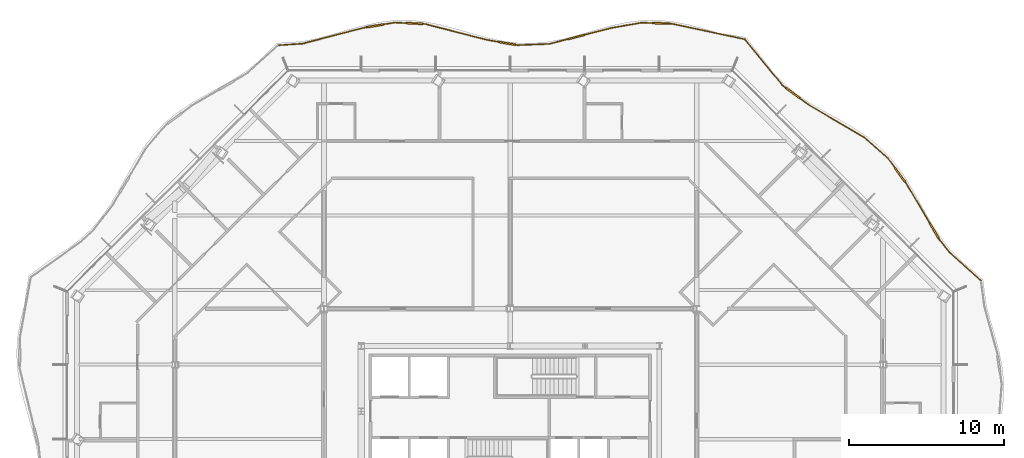
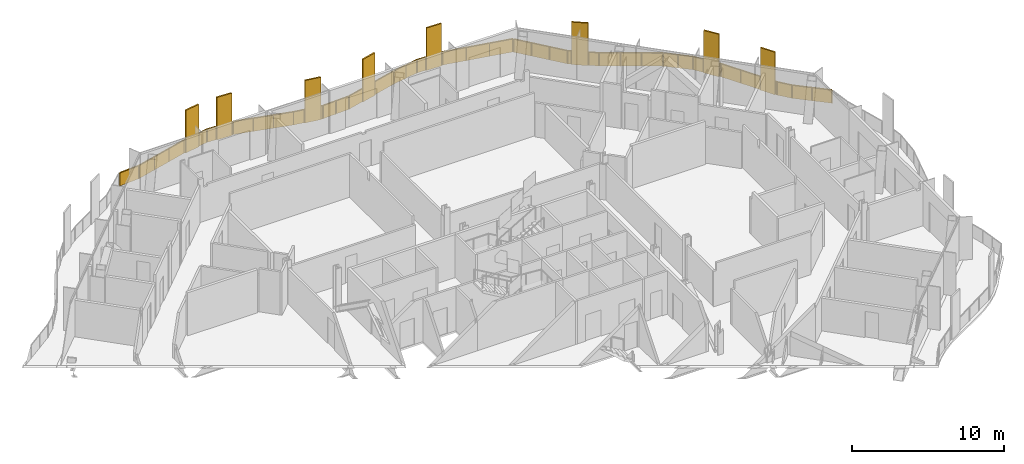
# One storey, part 21 of 21: 2 railings.
"""IFC4 building model written with IfcOpenShell, lengths in metres."""

from ifc_helpers import new_model, si_unit, direction, frame, origin, origin_2d, place, context, subcontext, project, spatial, polyline, rectangle, outline, extrude, material, type_object, element, save


model = new_model("IFC4")

# Units and contexts
model_context = context("Model", 3, precision=1e-05, world=origin(), true_north=direction((0.0, 1.0)))
body_context = subcontext(model_context, "Body", "Model", "MODEL_VIEW")
ifc_project = project(units=[si_unit("LENGTHUNIT", "METRE"), si_unit("AREAUNIT", "SQUARE_METRE"), si_unit("VOLUMEUNIT", "CUBIC_METRE"), si_unit("PLANEANGLEUNIT", "RADIAN"), si_unit("MASSUNIT", "GRAM", prefix="KILO")], contexts=[model_context])

# Site, building, storey
site_placement = place(None, origin())
site = spatial("IfcSite", under=ifc_project, at=site_placement, CompositionType="ELEMENT")
building_placement = place(site_placement, origin())
building = spatial("IfcBuilding", under=site, at=building_placement, Name="Cairn Pilgrim Tower", CompositionType="ELEMENT")
storey_placement = place(building_placement, frame((0.0, 0.0, 172.199951171875)))
storey = spatial("IfcBuildingStorey", under=building, at=storey_placement, Name="L43", CompositionType="ELEMENT", Elevation=172.199951171875)

# Railings
ifc_material = material(Name="Bronze anodised aluminium rail, posts and fin screens with laminated glass infill", Category="aluminium")
railing_type = type_object("IfcRailingType", Name="BALCONY GUARD WITH FIN SCREENS", PredefinedType="GUARDRAIL", material=ifc_material)
railing_1_placement = place(storey_placement, frame((37.5078125, 15.009033203125, 0.0)))
element("IfcRailing", 1, at=railing_1_placement, inside=storey, type_object=railing_type, Name="Balcony guard BGF-4 with fin screens", PredefinedType="GUARDRAIL", context=body_context, shape_type="SweptSolid", body=[
    extrude(rectangle(XDim=0.050048828125, YDim=0.050048828125, at=origin_2d()), frame((0.0, 0.0, 1.0751953125), z_axis=(-0.742573278127, 0.669764829333, 0.0), x_axis=(-0.669764829333, -0.742573278127, 0.0)), (0.0, 0.0, 1.0), 2.67919921875),
    extrude(rectangle(XDim=0.050048828125, YDim=0.050048828125, at=origin_2d()), frame((-1.989501953125, 1.79443359375, 1.0751953125), z_axis=(-0.631470426206, 0.775399961843, 0.0), x_axis=(-0.775399961843, -0.631470426206, 0.0)), (0.0, 0.0, 1.0), 1.046630859375),
    extrude(rectangle(XDim=1.10009765625, YDim=0.110107421875, at=origin_2d()), frame((-3.005859375, 3.208984375, 0.0), z_axis=(0.0, 0.0, 1.0), x_axis=(-0.507932070503, 0.861397127784, 0.0)), (0.0, 0.0, 1.0), 3.39990234375),
    extrude(rectangle(XDim=0.050048828125, YDim=0.050048828125, at=origin_2d()), frame((-2.650390625, 2.60595703125, 1.0751953125), z_axis=(-0.507932070503, 0.861397127784, 0.0), x_axis=(-0.861397127784, -0.507932070503, 0.0)), (0.0, 0.0, 1.0), 0.14990234375),
    extrude(rectangle(XDim=0.050048828125, YDim=0.050048828125, at=origin_2d()), frame((-3.285400390625, 3.6826171875, 1.0751953125), z_axis=(-0.507932070503, 0.861397127784, 0.0), x_axis=(-0.861397127784, -0.507932070503, 0.0)), (0.0, 0.0, 1.0), 2.96044921875),
    extrude(rectangle(XDim=1.10009765625, YDim=0.110107421875, at=origin_2d()), frame((-5.20068359375, 6.79931640625, 0.0), z_axis=(0.0, 0.0, 1.0), x_axis=(-0.587858294843, 0.808963920817, 0.0)), (0.0, 0.0, 1.0), 3.39990234375),
    extrude(rectangle(XDim=0.050048828125, YDim=0.050048828125, at=origin_2d()), frame((-4.7890625, 6.23291015625, 1.0751953125), z_axis=(-0.587858294843, 0.808963920817, 0.0), x_axis=(-0.808963920817, -0.587858294843, 0.0)), (0.0, 0.0, 1.0), 0.150146484375),
    extrude(rectangle(XDim=0.050048828125, YDim=0.050048828125, at=origin_2d()), frame((-5.52392578125, 7.244140625, 1.0751953125), z_axis=(-0.587858294843, 0.808963920817, 0.0), x_axis=(-0.808963920817, -0.587858294843, 0.0)), (0.0, 0.0, 1.0), 0.788330078125),
    extrude(rectangle(XDim=0.050048828125, YDim=0.050048828125, at=origin_2d()), frame((-5.9873046875, 7.8818359375, 1.0751953125), z_axis=(-0.748929293895, 0.662649917185, 0.0), x_axis=(-0.662649917185, -0.748929293895, 0.0)), (0.0, 0.0, 1.0), 2.009033203125),
    extrude(rectangle(XDim=0.050048828125, YDim=0.050048828125, at=origin_2d()), frame((-7.491943359375, 9.213134765625, 1.0751953125), z_axis=(-0.862706708707, 0.505704592378, 0.0), x_axis=(-0.505704592378, -0.862706708707, 0.0)), (0.0, 0.0, 1.0), 4.203125),
    extrude(rectangle(XDim=1.10009765625, YDim=0.110107421875, at=origin_2d()), frame((-12.1171875, 12.0859375, 0.0), z_axis=(0.0, 0.0, 1.0), x_axis=(-0.800870533458, 0.598837531087, 0.0)), (0.0, 0.0, 1.0), 3.39990234375),
    extrude(rectangle(XDim=0.050048828125, YDim=0.050048828125, at=origin_2d()), frame((-11.117919921875, 11.338623046875, 1.0751953125), z_axis=(-0.800870533458, 0.598837531087, 0.0), x_axis=(-0.598837531087, -0.800870533458, 0.0)), (0.0, 0.0, 1.0), 0.69775390625),
    extrude(rectangle(XDim=0.050048828125, YDim=0.050048828125, at=origin_2d()), frame((-12.5576171875, 12.415283203125, 1.0751953125), z_axis=(-0.800870533458, 0.598837531087, 0.0), x_axis=(-0.598837531087, -0.800870533458, 0.0)), (0.0, 0.0, 1.0), 0.286865234375),
    extrude(rectangle(XDim=0.050048828125, YDim=0.050048828125, at=origin_2d()), frame((-12.787353515625, 12.5869140625, 1.0751953125), z_axis=(-0.6329833694, 0.774165391931, 0.0), x_axis=(-0.774165391931, -0.6329833694, 0.0)), (0.0, 0.0, 1.0), 3.762939453125),
    extrude(rectangle(XDim=0.050048828125, YDim=0.050048828125, at=origin_2d()), origin(), (0.0, 0.0, 1.0), 1.050048828125),
    extrude(rectangle(XDim=0.050048828125, YDim=0.050048828125, at=origin_2d()), frame((-0.99462890625, 0.897216796875, 0.0)), (0.0, 0.0, 1.0), 1.050048828125),
    extrude(rectangle(XDim=0.050048828125, YDim=0.050048828125, at=origin_2d()), frame((-1.989501953125, 1.79443359375, 0.0)), (0.0, 0.0, 1.0), 1.050048828125),
    extrude(rectangle(XDim=0.050048828125, YDim=0.050048828125, at=origin_2d()), frame((-2.650390625, 2.60595703125, 0.0)), (0.0, 0.0, 1.0), 1.050048828125),
    extrude(rectangle(XDim=0.050048828125, YDim=0.050048828125, at=origin_2d()), frame((-2.7138671875, 2.713623046875, 0.0)), (0.0, 0.0, 1.0), 1.050048828125),
    extrude(rectangle(XDim=0.050048828125, YDim=0.050048828125, at=origin_2d()), frame((-3.298095703125, 3.704345703125, 0.0)), (0.0, 0.0, 1.0), 1.050048828125),
    extrude(rectangle(XDim=0.050048828125, YDim=0.050048828125, at=origin_2d()), frame((-4.04345703125, 4.968505859375, 0.0)), (0.0, 0.0, 1.0), 1.050048828125),
    extrude(rectangle(XDim=0.050048828125, YDim=0.050048828125, at=origin_2d()), frame((-4.7890625, 6.23291015625, 0.0)), (0.0, 0.0, 1.0), 1.050048828125),
    extrude(rectangle(XDim=0.050048828125, YDim=0.050048828125, at=origin_2d()), frame((-4.862548828125, 6.333984375, 0.0)), (0.0, 0.0, 1.0), 1.050048828125),
    extrude(rectangle(XDim=0.050048828125, YDim=0.050048828125, at=origin_2d()), frame((-5.53857421875, 7.264404296875, 0.0)), (0.0, 0.0, 1.0), 1.050048828125),
    extrude(rectangle(XDim=0.050048828125, YDim=0.050048828125, at=origin_2d()), frame((-5.9873046875, 7.8818359375, 0.0)), (0.0, 0.0, 1.0), 1.050048828125),
    extrude(rectangle(XDim=0.050048828125, YDim=0.050048828125, at=origin_2d()), frame((-6.73974609375, 8.54736328125, 0.0)), (0.0, 0.0, 1.0), 1.050048828125),
    extrude(rectangle(XDim=0.050048828125, YDim=0.050048828125, at=origin_2d()), frame((-7.491943359375, 9.213134765625, 0.0)), (0.0, 0.0, 1.0), 1.050048828125),
    extrude(rectangle(XDim=0.050048828125, YDim=0.050048828125, at=origin_2d()), frame((-8.70068359375, 9.921630859375, 0.0)), (0.0, 0.0, 1.0), 1.050048828125),
    extrude(rectangle(XDim=0.050048828125, YDim=0.050048828125, at=origin_2d()), frame((-9.9091796875, 10.630126953125, 0.0)), (0.0, 0.0, 1.0), 1.050048828125),
    extrude(rectangle(XDim=0.050048828125, YDim=0.050048828125, at=origin_2d()), frame((-11.117919921875, 11.338623046875, 0.0)), (0.0, 0.0, 1.0), 1.050048828125),
    extrude(rectangle(XDim=0.050048828125, YDim=0.050048828125, at=origin_2d()), frame((-11.65673828125, 11.741455078125, 0.0)), (0.0, 0.0, 1.0), 1.050048828125),
    extrude(rectangle(XDim=0.050048828125, YDim=0.050048828125, at=origin_2d()), frame((-12.57763671875, 12.43017578125, 0.0)), (0.0, 0.0, 1.0), 1.050048828125),
    extrude(rectangle(XDim=0.050048828125, YDim=0.050048828125, at=origin_2d()), frame((-12.787353515625, 12.5869140625, 0.0)), (0.0, 0.0, 1.0), 1.050048828125),
    extrude(rectangle(XDim=0.050048828125, YDim=0.050048828125, at=origin_2d()), frame((-13.581298828125, 13.557861328125, 0.0)), (0.0, 0.0, 1.0), 1.050048828125),
    extrude(rectangle(XDim=0.050048828125, YDim=0.050048828125, at=origin_2d()), frame((-14.375244140625, 14.529052734375, 0.0)), (0.0, 0.0, 1.0), 1.050048828125),
    extrude(rectangle(XDim=0.050048828125, YDim=0.050048828125, at=origin_2d()), frame((-15.169189453125, 15.5, 0.0)), (0.0, 0.0, 1.0), 1.050048828125),
    extrude(outline(polyline([(0.02490234375, 0.0), (1.314697265625, 0.0), (1.314697265625, 1.050048828125), (0.02490234375, 1.050048828125), (0.02490234375, 0.0)])), frame((-0.00390625, -0.00439453125, 0.0), z_axis=(0.669764829333, 0.742573278127, 0.0), x_axis=(-0.742573278127, 0.669764829333, 0.0)), (0.0, 0.0, 1.0), 0.011962890625),
    extrude(outline(polyline([(0.02490234375, 0.0), (1.314697265625, 0.0), (1.314697265625, 1.050048828125), (0.02490234375, 1.050048828125), (0.02490234375, 0.0)])), frame((-0.998779296875, 0.892822265625, 0.0), z_axis=(0.669764829333, 0.742573278127, 0.0), x_axis=(-0.742573278127, 0.669764829333, 0.0)), (0.0, 0.0, 1.0), 0.011962890625),
    extrude(outline(polyline([(0.02490234375, 0.0), (1.021484375, 0.0), (1.021484375, 1.050048828125), (0.02490234375, 1.050048828125), (0.02490234375, 0.0)])), frame((-1.994140625, 1.790771484375, 0.0), z_axis=(0.775399961843, 0.631470426206, 0.0), x_axis=(-0.631470426206, 0.775399961843, 0.0)), (0.0, 0.0, 1.0), 0.011962890625),
    extrude(outline(polyline([(0.02490234375, 0.0), (0.099853515625, 0.0), (0.099853515625, 1.050048828125), (0.02490234375, 1.050048828125), (0.02490234375, 0.0)])), frame((-2.655517578125, 2.60302734375, 0.0), z_axis=(0.861397127784, 0.507932070503, 0.0), x_axis=(-0.507932070503, 0.861397127784, 0.0)), (0.0, 0.0, 1.0), 0.011962890625),
    extrude(outline(polyline([(0.02490234375, 0.0), (1.442626953125, 0.0), (1.442626953125, 1.050048828125), (0.02490234375, 1.050048828125), (0.02490234375, 0.0)])), frame((-3.30322265625, 3.701171875, 0.0), z_axis=(0.861397127784, 0.507932070503, 0.0), x_axis=(-0.507932070503, 0.861397127784, 0.0)), (0.0, 0.0, 1.0), 0.011962890625),
    extrude(outline(polyline([(0.02490234375, 0.0), (1.442626953125, 0.0), (1.442626953125, 1.050048828125), (0.02490234375, 1.050048828125), (0.02490234375, 0.0)])), frame((-4.048583984375, 4.965576171875, 0.0), z_axis=(0.861397127784, 0.507932070503, 0.0), x_axis=(-0.507932070503, 0.861397127784, 0.0)), (0.0, 0.0, 1.0), 0.011962890625),
    extrude(outline(polyline([(0.02490234375, 0.0), (0.10009765625, 0.0), (0.10009765625, 1.050048828125), (0.02490234375, 1.050048828125), (0.02490234375, 0.0)])), frame((-4.7939453125, 6.2294921875, 0.0), z_axis=(0.808963920817, 0.587858294843, 0.0), x_axis=(-0.587858294843, 0.808963920817, 0.0)), (0.0, 0.0, 1.0), 0.011962890625),
    extrude(outline(polyline([(0.02490234375, 0.0), (0.73828125, 0.0), (0.73828125, 1.050048828125), (0.02490234375, 1.050048828125), (0.02490234375, 0.0)])), frame((-5.54345703125, 7.260986328125, 0.0), z_axis=(0.808963920817, 0.587858294843, 0.0), x_axis=(-0.587858294843, 0.808963920817, 0.0)), (0.0, 0.0, 1.0), 0.011962890625),
    extrude(outline(polyline([(0.02490234375, 0.0), (0.9794921875, 0.0), (0.9794921875, 1.050048828125), (0.02490234375, 1.050048828125), (0.02490234375, 0.0)])), frame((-5.9912109375, 7.87744140625, 0.0), z_axis=(0.662649917185, 0.748929293895, 0.0), x_axis=(-0.748929293895, 0.662649917185, 0.0)), (0.0, 0.0, 1.0), 0.011962890625),
    extrude(outline(polyline([(0.02490234375, 0.0), (0.9794921875, 0.0), (0.9794921875, 1.050048828125), (0.02490234375, 1.050048828125), (0.02490234375, 0.0)])), frame((-6.74365234375, 8.54296875, 0.0), z_axis=(0.662649917185, 0.748929293895, 0.0), x_axis=(-0.748929293895, 0.662649917185, 0.0)), (0.0, 0.0, 1.0), 0.011962890625),
    extrude(outline(polyline([(0.02490234375, 0.0), (1.3759765625, 0.0), (1.3759765625, 1.050048828125), (0.02490234375, 1.050048828125), (0.02490234375, 0.0)])), frame((-7.494873046875, 9.2080078125, 0.0), z_axis=(0.505704592378, 0.862706708707, 0.0), x_axis=(-0.862706708707, 0.505704592378, 0.0)), (0.0, 0.0, 1.0), 0.011962890625),
    extrude(outline(polyline([(0.02490234375, 0.0), (1.3759765625, 0.0), (1.3759765625, 1.050048828125), (0.02490234375, 1.050048828125), (0.02490234375, 0.0)])), frame((-8.70361328125, 9.91650390625, 0.0), z_axis=(0.505704592378, 0.862706708707, 0.0), x_axis=(-0.862706708707, 0.505704592378, 0.0)), (0.0, 0.0, 1.0), 0.011962890625),
    extrude(outline(polyline([(0.02490234375, 0.0), (1.3759765625, 0.0), (1.3759765625, 1.050048828125), (0.02490234375, 1.050048828125), (0.02490234375, 0.0)])), frame((-9.912353515625, 10.625, 0.0), z_axis=(0.505704592378, 0.862706708707, 0.0), x_axis=(-0.862706708707, 0.505704592378, 0.0)), (0.0, 0.0, 1.0), 0.011962890625),
    extrude(outline(polyline([(0.02490234375, 0.0), (0.647705078125, 0.0), (0.647705078125, 1.050048828125), (0.02490234375, 1.050048828125), (0.02490234375, 0.0)])), frame((-11.12158203125, 11.333740234375, 0.0), z_axis=(0.598837531087, 0.800870533458, 0.0), x_axis=(-0.800870533458, 0.598837531087, 0.0)), (0.0, 0.0, 1.0), 0.011962890625),
    extrude(outline(polyline([(0.02490234375, 0.0), (0.23681640625, 0.0), (0.23681640625, 1.050048828125), (0.02490234375, 1.050048828125), (0.02490234375, 0.0)])), frame((-12.581298828125, 12.42529296875, 0.0), z_axis=(0.598837531087, 0.800870533458, 0.0), x_axis=(-0.800870533458, 0.598837531087, 0.0)), (0.0, 0.0, 1.0), 0.011962890625),
    extrude(outline(polyline([(0.02490234375, 0.0), (1.229248046875, 0.0), (1.229248046875, 1.050048828125), (0.02490234375, 1.050048828125), (0.02490234375, 0.0)])), frame((-12.7919921875, 12.5830078125, 0.0), z_axis=(0.774165391931, 0.6329833694, 0.0), x_axis=(-0.6329833694, 0.774165391931, 0.0)), (0.0, 0.0, 1.0), 0.011962890625),
    extrude(outline(polyline([(0.02490234375, 0.0), (1.229248046875, 0.0), (1.229248046875, 1.050048828125), (0.02490234375, 1.050048828125), (0.02490234375, 0.0)])), frame((-13.5859375, 13.55419921875, 0.0), z_axis=(0.774165391931, 0.6329833694, 0.0), x_axis=(-0.6329833694, 0.774165391931, 0.0)), (0.0, 0.0, 1.0), 0.011962890625),
    extrude(outline(polyline([(0.02490234375, 0.0), (1.229248046875, 0.0), (1.229248046875, 1.050048828125), (0.02490234375, 1.050048828125), (0.02490234375, 0.0)])), frame((-14.3798828125, 14.525146484375, 0.0), z_axis=(0.774165391931, 0.6329833694, 0.0), x_axis=(-0.6329833694, 0.774165391931, 0.0)), (0.0, 0.0, 1.0), 0.011962890625),
])
railing_2_placement = place(storey_placement, frame((22.300537109375, 30.555419921875, 0.0)))
element("IfcRailing", 2, at=railing_2_placement, inside=storey, type_object=railing_type, Name="Balcony guard BGF-5 with fin screens", PredefinedType="GUARDRAIL", context=body_context, shape_type="SweptSolid", body=[
    extrude(rectangle(XDim=0.050048828125, YDim=0.050048828125, at=origin_2d()), frame((0.0, 0.0, 1.0751953125), z_axis=(-0.978038647043, 0.208423618841, 0.0), x_axis=(-0.208423618841, -0.978038647043, 0.0)), (0.0, 0.0, 1.0), 4.796630859375),
    extrude(rectangle(XDim=1.10009765625, YDim=0.110107421875, at=origin_2d()), frame((-5.396484375, 1.02392578125, 0.0), z_axis=(0.0, 0.0, 1.0), x_axis=(-0.99941220136, 0.034281945288, 0.0)), (0.0, 0.0, 1.0), 3.39990234375),
    extrude(rectangle(XDim=0.050048828125, YDim=0.050048828125, at=origin_2d()), frame((-4.69140625, 0.999755859375, 1.0751953125), z_axis=(-0.99941220136, 0.034281945288, 0.0), x_axis=(-0.034281945288, -0.99941220136, 0.0)), (0.0, 0.0, 1.0), 0.155517578125),
    extrude(rectangle(XDim=0.050048828125, YDim=0.050048828125, at=origin_2d()), frame((-5.9462890625, 1.042724609375, 1.0751953125), z_axis=(-0.99941220136, 0.034281945288, 0.0), x_axis=(-0.034281945288, -0.99941220136, 0.0)), (0.0, 0.0, 1.0), 0.702880859375),
    extrude(rectangle(XDim=0.050048828125, YDim=0.050048828125, at=origin_2d()), frame((-6.648681640625, 1.06689453125, 1.0751953125), z_axis=(-0.984854919199, -0.173380472171, 0.0), x_axis=(0.173380472171, -0.984854919199, 0.0)), (0.0, 0.0, 1.0), 1.995361328125),
    extrude(rectangle(XDim=1.10009765625, YDim=0.110107421875, at=origin_2d()), frame((-10.852783203125, 0.146240234375, 0.0), z_axis=(0.0, 0.0, 1.0), x_axis=(-0.968596791298, -0.248636795118, 0.0)), (0.0, 0.0, 1.0), 3.39990234375),
    extrude(rectangle(XDim=0.050048828125, YDim=0.050048828125, at=origin_2d()), frame((-8.61376953125, 0.720947265625, 1.0751953125), z_axis=(-0.968596791298, -0.248636795118, 0.0), x_axis=(0.248636795118, -0.968596791298, 0.0)), (0.0, 0.0, 1.0), 1.76171875),
    extrude(rectangle(XDim=0.050048828125, YDim=0.050048828125, at=origin_2d()), frame((-11.385498046875, 0.009521484375, 1.0751953125), z_axis=(-0.968596791298, -0.248636795118, 0.0), x_axis=(0.248636795118, -0.968596791298, 0.0)), (0.0, 0.0, 1.0), 1.249755859375),
    extrude(rectangle(XDim=0.050048828125, YDim=0.050048828125, at=origin_2d()), frame((-12.595947265625, -0.30126953125, 1.0751953125), z_axis=(-0.999184459202, -0.040378416137, 0.0), x_axis=(0.040378416137, -0.999184459202, 0.0)), (0.0, 0.0, 1.0), 2.01953125),
    extrude(rectangle(XDim=1.10009765625, YDim=0.110107421875, at=origin_2d()), frame((-15.3037109375, -0.264892578125, 0.0), z_axis=(0.0, 0.0, 1.0), x_axis=(-0.985678657546, 0.16863446877, 0.0)), (0.0, 0.0, 1.0), 3.39990234375),
    extrude(rectangle(XDim=0.050048828125, YDim=0.050048828125, at=origin_2d()), frame((-14.61376953125, -0.3828125, 1.0751953125), z_axis=(-0.985678657546, 0.16863446877, 0.0), x_axis=(-0.16863446877, -0.985678657546, 0.0)), (0.0, 0.0, 1.0), 0.14990234375),
    extrude(rectangle(XDim=0.050048828125, YDim=0.050048828125, at=origin_2d()), frame((-15.845947265625, -0.172119140625, 1.0751953125), z_axis=(-0.985678657546, 0.16863446877, 0.0), x_axis=(-0.16863446877, -0.985678657546, 0.0)), (0.0, 0.0, 1.0), 0.787109375),
    extrude(rectangle(XDim=0.050048828125, YDim=0.050048828125, at=origin_2d()), frame((-16.62158203125, -0.039306640625, 1.0751953125), z_axis=(-0.968268943839, 0.24991048877, 0.0), x_axis=(-0.24991048877, -0.968268943839, 0.0)), (0.0, 0.0, 1.0), 4.09326171875),
    extrude(rectangle(XDim=1.10009765625, YDim=0.110107421875, at=origin_2d()), frame((-21.284423828125, 1.01611328125, 0.0), z_axis=(0.0, 0.0, 1.0), x_axis=(-0.998916987241, 0.046527976554, 0.0)), (0.0, 0.0, 1.0), 3.39990234375),
    extrude(rectangle(XDim=0.050048828125, YDim=0.050048828125, at=origin_2d()), frame((-20.5849609375, 0.983642578125, 1.0751953125), z_axis=(-0.998916987241, 0.046527976554, 0.0), x_axis=(-0.046527976554, -0.998916987241, 0.0)), (0.0, 0.0, 1.0), 0.150146484375),
    extrude(rectangle(XDim=0.050048828125, YDim=0.050048828125, at=origin_2d()), frame((-21.833740234375, 1.041748046875, 1.0751953125), z_axis=(-0.998916987241, 0.046527976554, 0.0), x_axis=(-0.046527976554, -0.998916987241, 0.0)), (0.0, 0.0, 1.0), 0.70703125),
    extrude(rectangle(XDim=1.10009765625, YDim=0.110107421875, at=origin_2d()), frame((-23.813232421875, 0.86328125, 0.0), z_axis=(0.0, 0.0, 1.0), x_axis=(-0.986486572526, -0.163842125919, 0.0)), (0.0, 0.0, 1.0), 3.39990234375),
    extrude(rectangle(XDim=0.050048828125, YDim=0.050048828125, at=origin_2d()), frame((-22.5400390625, 1.07470703125, 1.0751953125), z_axis=(-0.986486572526, -0.163842125919, 0.0), x_axis=(0.163842125919, -0.986486572526, 0.0)), (0.0, 0.0, 1.0), 0.74072265625),
    extrude(rectangle(XDim=0.050048828125, YDim=0.050048828125, at=origin_2d()), frame((-24.35595703125, 0.773193359375, 1.0751953125), z_axis=(-0.986486572526, -0.163842125919, 0.0), x_axis=(0.163842125919, -0.986486572526, 0.0)), (0.0, 0.0, 1.0), 0.150146484375),
    extrude(rectangle(XDim=0.050048828125, YDim=0.050048828125, at=origin_2d()), frame((-24.50390625, 0.74853515625, 1.0751953125), z_axis=(-0.967966970059, -0.251077567448, 0.0), x_axis=(0.251077567448, -0.967966970059, 0.0)), (0.0, 0.0, 1.0), 4.111083984375),
    extrude(rectangle(XDim=0.050048828125, YDim=0.050048828125, at=origin_2d()), frame((-28.4833984375, -0.28369140625, 1.0751953125), z_axis=(-0.99780141963, -0.066274633038, 0.0), x_axis=(0.066274633038, -0.99780141963, 0.0)), (0.0, 0.0, 1.0), 1.525146484375),
    extrude(rectangle(XDim=0.050048828125, YDim=0.050048828125, at=origin_2d()), origin(), (0.0, 0.0, 1.0), 1.050048828125),
    extrude(rectangle(XDim=0.050048828125, YDim=0.050048828125, at=origin_2d()), frame((-1.563720703125, 0.333251953125, 0.0)), (0.0, 0.0, 1.0), 1.050048828125),
    extrude(rectangle(XDim=0.050048828125, YDim=0.050048828125, at=origin_2d()), frame((-3.127685546875, 0.66650390625, 0.0)), (0.0, 0.0, 1.0), 1.050048828125),
    extrude(rectangle(XDim=0.050048828125, YDim=0.050048828125, at=origin_2d()), frame((-4.69140625, 0.999755859375, 0.0)), (0.0, 0.0, 1.0), 1.050048828125),
    extrude(rectangle(XDim=0.050048828125, YDim=0.050048828125, at=origin_2d()), frame((-4.82177734375, 1.004150390625, 0.0)), (0.0, 0.0, 1.0), 1.050048828125),
    extrude(rectangle(XDim=0.050048828125, YDim=0.050048828125, at=origin_2d()), frame((-5.97119140625, 1.043701171875, 0.0)), (0.0, 0.0, 1.0), 1.050048828125),
    extrude(rectangle(XDim=0.050048828125, YDim=0.050048828125, at=origin_2d()), frame((-6.648681640625, 1.06689453125, 0.0)), (0.0, 0.0, 1.0), 1.050048828125),
    extrude(rectangle(XDim=0.050048828125, YDim=0.050048828125, at=origin_2d()), frame((-7.63134765625, 0.89404296875, 0.0)), (0.0, 0.0, 1.0), 1.050048828125),
    extrude(rectangle(XDim=0.050048828125, YDim=0.050048828125, at=origin_2d()), frame((-8.61376953125, 0.720947265625, 0.0)), (0.0, 0.0, 1.0), 1.050048828125),
    extrude(rectangle(XDim=0.050048828125, YDim=0.050048828125, at=origin_2d()), frame((-10.2958984375, 0.2890625, 0.0)), (0.0, 0.0, 1.0), 1.050048828125),
    extrude(rectangle(XDim=0.050048828125, YDim=0.050048828125, at=origin_2d()), frame((-11.40966796875, 0.003173828125, 0.0)), (0.0, 0.0, 1.0), 1.050048828125),
    extrude(rectangle(XDim=0.050048828125, YDim=0.050048828125, at=origin_2d()), frame((-12.595947265625, -0.30126953125, 0.0)), (0.0, 0.0, 1.0), 1.050048828125),
    extrude(rectangle(XDim=0.050048828125, YDim=0.050048828125, at=origin_2d()), frame((-13.60498046875, -0.342041015625, 0.0)), (0.0, 0.0, 1.0), 1.050048828125),
    extrude(rectangle(XDim=0.050048828125, YDim=0.050048828125, at=origin_2d()), frame((-14.61376953125, -0.3828125, 0.0)), (0.0, 0.0, 1.0), 1.050048828125),
    extrude(rectangle(XDim=0.050048828125, YDim=0.050048828125, at=origin_2d()), frame((-14.73681640625, -0.36181640625, 0.0)), (0.0, 0.0, 1.0), 1.050048828125),
    extrude(rectangle(XDim=0.050048828125, YDim=0.050048828125, at=origin_2d()), frame((-15.87060546875, -0.167724609375, 0.0)), (0.0, 0.0, 1.0), 1.050048828125),
    extrude(rectangle(XDim=0.050048828125, YDim=0.050048828125, at=origin_2d()), frame((-16.62158203125, -0.039306640625, 0.0)), (0.0, 0.0, 1.0), 1.050048828125),
    extrude(rectangle(XDim=0.050048828125, YDim=0.050048828125, at=origin_2d()), frame((-17.942626953125, 0.3017578125, 0.0)), (0.0, 0.0, 1.0), 1.050048828125),
    extrude(rectangle(XDim=0.050048828125, YDim=0.050048828125, at=origin_2d()), frame((-19.263916015625, 0.642578125, 0.0)), (0.0, 0.0, 1.0), 1.050048828125),
    extrude(rectangle(XDim=0.050048828125, YDim=0.050048828125, at=origin_2d()), frame((-20.5849609375, 0.983642578125, 0.0)), (0.0, 0.0, 1.0), 1.050048828125),
    extrude(rectangle(XDim=0.050048828125, YDim=0.050048828125, at=origin_2d()), frame((-20.7099609375, 0.989501953125, 0.0)), (0.0, 0.0, 1.0), 1.050048828125),
    extrude(rectangle(XDim=0.050048828125, YDim=0.050048828125, at=origin_2d()), frame((-21.858642578125, 1.04296875, 0.0)), (0.0, 0.0, 1.0), 1.050048828125),
    extrude(rectangle(XDim=0.050048828125, YDim=0.050048828125, at=origin_2d()), frame((-22.5400390625, 1.07470703125, 0.0)), (0.0, 0.0, 1.0), 1.050048828125),
    extrude(rectangle(XDim=0.050048828125, YDim=0.050048828125, at=origin_2d()), frame((-23.24609375, 0.95751953125, 0.0)), (0.0, 0.0, 1.0), 1.050048828125),
    extrude(rectangle(XDim=0.050048828125, YDim=0.050048828125, at=origin_2d()), frame((-24.380615234375, 0.76904296875, 0.0)), (0.0, 0.0, 1.0), 1.050048828125),
    extrude(rectangle(XDim=0.050048828125, YDim=0.050048828125, at=origin_2d()), frame((-24.50390625, 0.74853515625, 0.0)), (0.0, 0.0, 1.0), 1.050048828125),
    extrude(rectangle(XDim=0.050048828125, YDim=0.050048828125, at=origin_2d()), frame((-25.830322265625, 0.404541015625, 0.0)), (0.0, 0.0, 1.0), 1.050048828125),
    extrude(rectangle(XDim=0.050048828125, YDim=0.050048828125, at=origin_2d()), frame((-27.156982421875, 0.060302734375, 0.0)), (0.0, 0.0, 1.0), 1.050048828125),
    extrude(rectangle(XDim=0.050048828125, YDim=0.050048828125, at=origin_2d()), frame((-28.4833984375, -0.28369140625, 0.0)), (0.0, 0.0, 1.0), 1.050048828125),
    extrude(rectangle(XDim=0.050048828125, YDim=0.050048828125, at=origin_2d()), frame((-30.005126953125, -0.384765625, 0.0)), (0.0, 0.0, 1.0), 1.050048828125),
    extrude(outline(polyline([(0.02490234375, 0.0), (1.573974609375, 0.0), (1.573974609375, 1.050048828125), (0.02490234375, 1.050048828125), (0.02490234375, 0.0)])), frame((-0.001220703125, -0.005859375, 0.0), z_axis=(0.208423618841, 0.978038647043, 0.0), x_axis=(-0.978038647043, 0.208423618841, 0.0)), (0.0, 0.0, 1.0), 0.011962890625),
    extrude(outline(polyline([(0.02490234375, 0.0), (1.573974609375, 0.0), (1.573974609375, 1.050048828125), (0.02490234375, 1.050048828125), (0.02490234375, 0.0)])), frame((-1.56494140625, 0.327392578125, 0.0), z_axis=(0.208423618841, 0.978038647043, 0.0), x_axis=(-0.978038647043, 0.208423618841, 0.0)), (0.0, 0.0, 1.0), 0.011962890625),
    extrude(outline(polyline([(0.02490234375, 0.0), (1.573974609375, 0.0), (1.573974609375, 1.050048828125), (0.02490234375, 1.050048828125), (0.02490234375, 0.0)])), frame((-3.12890625, 0.66064453125, 0.0), z_axis=(0.208423618841, 0.978038647043, 0.0), x_axis=(-0.978038647043, 0.208423618841, 0.0)), (0.0, 0.0, 1.0), 0.011962890625),
    extrude(outline(polyline([(0.02490234375, 0.0), (0.10546875, 0.0), (0.10546875, 1.050048828125), (0.02490234375, 1.050048828125), (0.02490234375, 0.0)])), frame((-4.691650390625, 0.993896484375, 0.0), z_axis=(0.034281945288, 0.99941220136, 0.0), x_axis=(-0.99941220136, 0.034281945288, 0.0)), (0.0, 0.0, 1.0), 0.011962890625),
    extrude(outline(polyline([(0.02490234375, 0.0), (0.65283203125, 0.0), (0.65283203125, 1.050048828125), (0.02490234375, 1.050048828125), (0.02490234375, 0.0)])), frame((-5.971435546875, 1.03759765625, 0.0), z_axis=(0.034281945288, 0.99941220136, 0.0), x_axis=(-0.99941220136, 0.034281945288, 0.0)), (0.0, 0.0, 1.0), 0.011962890625),
    extrude(outline(polyline([(0.02490234375, 0.0), (0.97265625, 0.0), (0.97265625, 1.050048828125), (0.02490234375, 1.050048828125), (0.02490234375, 0.0)])), frame((-6.647705078125, 1.06103515625, 0.0), z_axis=(-0.173380472171, 0.984854919199, 0.0), x_axis=(-0.984854919199, -0.173380472171, 0.0)), (0.0, 0.0, 1.0), 0.011962890625),
    extrude(outline(polyline([(0.02490234375, 0.0), (0.97265625, 0.0), (0.97265625, 1.050048828125), (0.02490234375, 1.050048828125), (0.02490234375, 0.0)])), frame((-7.630126953125, 0.887939453125, 0.0), z_axis=(-0.173380472171, 0.984854919199, 0.0), x_axis=(-0.984854919199, -0.173380472171, 0.0)), (0.0, 0.0, 1.0), 0.011962890625),
    extrude(outline(polyline([(0.02490234375, 0.0), (1.711669921875, 0.0), (1.711669921875, 1.050048828125), (0.02490234375, 1.050048828125), (0.02490234375, 0.0)])), frame((-8.6123046875, 0.715087890625, 0.0), z_axis=(-0.248636795118, 0.968596791298, 0.0), x_axis=(-0.968596791298, -0.248636795118, 0.0)), (0.0, 0.0, 1.0), 0.011962890625),
    extrude(outline(polyline([(0.02490234375, 0.0), (1.19970703125, 0.0), (1.19970703125, 1.050048828125), (0.02490234375, 1.050048828125), (0.02490234375, 0.0)])), frame((-11.408203125, -0.002685546875, 0.0), z_axis=(-0.248636795118, 0.968596791298, 0.0), x_axis=(-0.968596791298, -0.248636795118, 0.0)), (0.0, 0.0, 1.0), 0.011962890625),
    extrude(outline(polyline([(0.02490234375, 0.0), (0.984619140625, 0.0), (0.984619140625, 1.050048828125), (0.02490234375, 1.050048828125), (0.02490234375, 0.0)])), frame((-12.595703125, -0.30712890625, 0.0), z_axis=(-0.040378416137, 0.999184459202, 0.0), x_axis=(-0.999184459202, -0.040378416137, 0.0)), (0.0, 0.0, 1.0), 0.011962890625),
    extrude(outline(polyline([(0.02490234375, 0.0), (0.984619140625, 0.0), (0.984619140625, 1.050048828125), (0.02490234375, 1.050048828125), (0.02490234375, 0.0)])), frame((-13.604736328125, -0.347900390625, 0.0), z_axis=(-0.040378416137, 0.999184459202, 0.0), x_axis=(-0.999184459202, -0.040378416137, 0.0)), (0.0, 0.0, 1.0), 0.011962890625),
    extrude(outline(polyline([(0.02490234375, 0.0), (0.099853515625, 0.0), (0.099853515625, 1.050048828125), (0.02490234375, 1.050048828125), (0.02490234375, 0.0)])), frame((-14.61474609375, -0.388671875, 0.0), z_axis=(0.16863446877, 0.985678657546, 0.0), x_axis=(-0.985678657546, 0.16863446877, 0.0)), (0.0, 0.0, 1.0), 0.011962890625),
    extrude(outline(polyline([(0.02490234375, 0.0), (0.737060546875, 0.0), (0.737060546875, 1.050048828125), (0.02490234375, 1.050048828125), (0.02490234375, 0.0)])), frame((-15.87158203125, -0.173583984375, 0.0), z_axis=(0.16863446877, 0.985678657546, 0.0), x_axis=(-0.985678657546, 0.16863446877, 0.0)), (0.0, 0.0, 1.0), 0.011962890625),
    extrude(outline(polyline([(0.02490234375, 0.0), (1.33935546875, 0.0), (1.33935546875, 1.050048828125), (0.02490234375, 1.050048828125), (0.02490234375, 0.0)])), frame((-16.623046875, -0.045166015625, 0.0), z_axis=(0.24991048877, 0.968268943839, 0.0), x_axis=(-0.968268943839, 0.24991048877, 0.0)), (0.0, 0.0, 1.0), 0.011962890625),
    extrude(outline(polyline([(0.02490234375, 0.0), (1.33935546875, 0.0), (1.33935546875, 1.050048828125), (0.02490234375, 1.050048828125), (0.02490234375, 0.0)])), frame((-17.944091796875, 0.2958984375, 0.0), z_axis=(0.24991048877, 0.968268943839, 0.0), x_axis=(-0.968268943839, 0.24991048877, 0.0)), (0.0, 0.0, 1.0), 0.011962890625),
    extrude(outline(polyline([(0.02490234375, 0.0), (1.33935546875, 0.0), (1.33935546875, 1.050048828125), (0.02490234375, 1.050048828125), (0.02490234375, 0.0)])), frame((-19.265380859375, 0.636962890625, 0.0), z_axis=(0.24991048877, 0.968268943839, 0.0), x_axis=(-0.968268943839, 0.24991048877, 0.0)), (0.0, 0.0, 1.0), 0.011962890625),
    extrude(outline(polyline([(0.02490234375, 0.0), (0.10009765625, 0.0), (0.10009765625, 1.050048828125), (0.02490234375, 1.050048828125), (0.02490234375, 0.0)])), frame((-20.585205078125, 0.977783203125, 0.0), z_axis=(0.046527976554, 0.998916987241, 0.0), x_axis=(-0.998916987241, 0.046527976554, 0.0)), (0.0, 0.0, 1.0), 0.011962890625),
    extrude(outline(polyline([(0.02490234375, 0.0), (0.656982421875, 0.0), (0.656982421875, 1.050048828125), (0.02490234375, 1.050048828125), (0.02490234375, 0.0)])), frame((-21.85888671875, 1.037109375, 0.0), z_axis=(0.046527976554, 0.998916987241, 0.0), x_axis=(-0.998916987241, 0.046527976554, 0.0)), (0.0, 0.0, 1.0), 0.011962890625),
    extrude(outline(polyline([(0.02490234375, 0.0), (0.690673828125, 0.0), (0.690673828125, 1.050048828125), (0.02490234375, 1.050048828125), (0.02490234375, 0.0)])), frame((-22.5390625, 1.06884765625, 0.0), z_axis=(-0.163842125919, 0.986486572526, 0.0), x_axis=(-0.986486572526, -0.163842125919, 0.0)), (0.0, 0.0, 1.0), 0.011962890625),
    extrude(outline(polyline([(0.02490234375, 0.0), (0.10009765625, 0.0), (0.10009765625, 1.050048828125), (0.02490234375, 1.050048828125), (0.02490234375, 0.0)])), frame((-24.379638671875, 0.76318359375, 0.0), z_axis=(-0.163842125919, 0.986486572526, 0.0), x_axis=(-0.986486572526, -0.163842125919, 0.0)), (0.0, 0.0, 1.0), 0.011962890625),
    extrude(outline(polyline([(0.02490234375, 0.0), (1.345458984375, 0.0), (1.345458984375, 1.050048828125), (0.02490234375, 1.050048828125), (0.02490234375, 0.0)])), frame((-24.50244140625, 0.74267578125, 0.0), z_axis=(-0.251077567448, 0.967966970059, 0.0), x_axis=(-0.967966970059, -0.251077567448, 0.0)), (0.0, 0.0, 1.0), 0.011962890625),
    extrude(outline(polyline([(0.02490234375, 0.0), (1.345458984375, 0.0), (1.345458984375, 1.050048828125), (0.02490234375, 1.050048828125), (0.02490234375, 0.0)])), frame((-25.828857421875, 0.398681640625, 0.0), z_axis=(-0.251077567448, 0.967966970059, 0.0), x_axis=(-0.967966970059, -0.251077567448, 0.0)), (0.0, 0.0, 1.0), 0.011962890625),
    extrude(outline(polyline([(0.02490234375, 0.0), (1.345458984375, 0.0), (1.345458984375, 1.050048828125), (0.02490234375, 1.050048828125), (0.02490234375, 0.0)])), frame((-27.155517578125, 0.0546875, 0.0), z_axis=(-0.251077567448, 0.967966970059, 0.0), x_axis=(-0.967966970059, -0.251077567448, 0.0)), (0.0, 0.0, 1.0), 0.011962890625),
    extrude(outline(polyline([(0.02490234375, 0.0), (1.5, 0.0), (1.5, 1.050048828125), (0.02490234375, 1.050048828125), (0.02490234375, 0.0)])), frame((-28.48291015625, -0.28955078125, 0.0), z_axis=(-0.066274633038, 0.99780141963, 0.0), x_axis=(-0.99780141963, -0.066274633038, 0.0)), (0.0, 0.0, 1.0), 0.011962890625),
])

save(model, "model.ifc")
